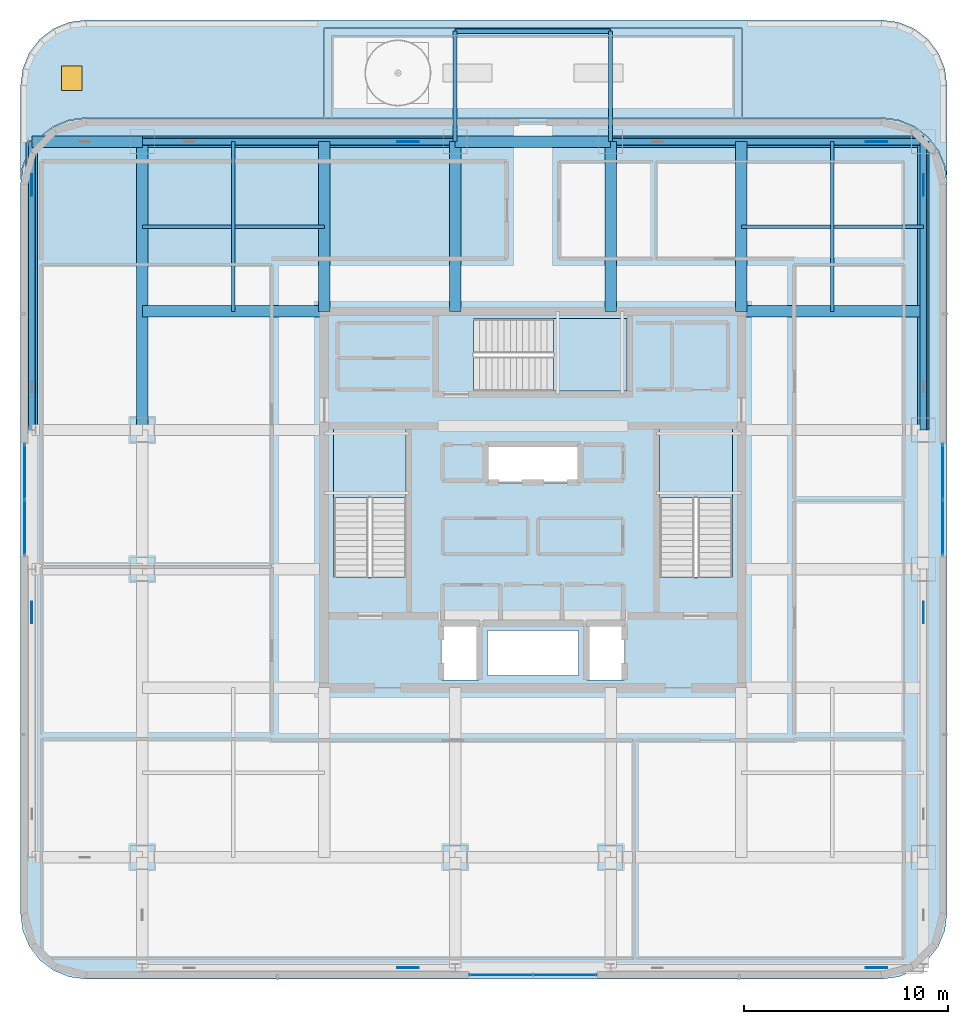
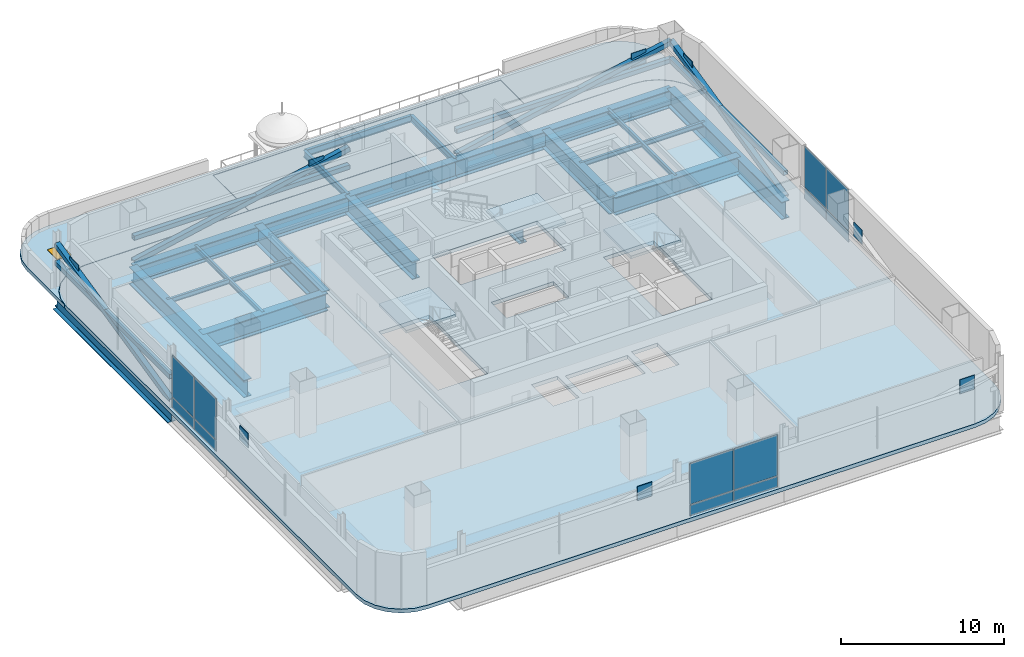
# One storey, part 8 of 28: 20 beams, 20 plates, 8 members, 6 slabs, 1 door, 1 opening, 6 elements without a shape of their own.
"""IFC4 building model written with IfcOpenShell, lengths in metres."""

from ifc_helpers import new_model, si_unit, direction, frame, origin, origin_2d, place, context, subcontext, project, spatial, polyline, rectangle, hollow_rectangle, i_section, outline, extrude, material, layer, layer_set, material_profile, profile_set, type_object, element, fill, aggregate, save


model = new_model("IFC4")

# Units and contexts
model_context = context("Model", 3, precision=1e-05, world=origin(), true_north=direction((0.0, 1.0)))
body_context = subcontext(model_context, "Body", "Model", "MODEL_VIEW")
ifc_project = project(units=[si_unit("LENGTHUNIT", "METRE"), si_unit("AREAUNIT", "SQUARE_METRE"), si_unit("VOLUMEUNIT", "CUBIC_METRE"), si_unit("PLANEANGLEUNIT", "RADIAN"), si_unit("MASSUNIT", "GRAM", prefix="KILO")], contexts=[model_context])

# Site, building, storey
site_placement = place(None, origin())
site = spatial("IfcSite", under=ifc_project, at=site_placement, CompositionType="ELEMENT")
building_placement = place(site_placement, origin())
building = spatial("IfcBuilding", under=site, at=building_placement, Name="Punatoya Terracotta Tower", CompositionType="ELEMENT")
storey_placement = place(building_placement, frame((0.0, 0.0, 317.39990234375)))
storey = spatial("IfcBuildingStorey", under=building, at=storey_placement, Name="L75", CompositionType="ELEMENT", Elevation=317.39990234375)

# Beams
ifc_material_1 = material(Name="Steel S355", Category="steel")
ifc_material_profile_1 = material_profile(ifc_material_1, i_section(OverallWidth=0.169921875, OverallDepth=0.360107421875, WebThickness=0.008056640625, FlangeThickness=0.0126953125, FilletRadius=0.01806640625, at=origin_2d()))
ifc_profile_set_1 = profile_set([ifc_material_profile_1], Name="Steel S355")
beam_type_1 = type_object("IfcBeamType", Name="BM-SEC-360", PredefinedType="JOIST", material=ifc_profile_set_1)
for number, where, z_axis, x_axis, name in (
    (1, (-19.10009765625, 13.35009765625, -0.4599609375), (1.0, 0.0, 0.0), (0.0, 1.0, 0.0), "BM-L75-SJN-1"),
    (2, (10.199951171875, 13.35009765625, -0.4599609375), (1.0, 0.0, 0.0), (0.0, 1.0, 0.0), "BM-L75-SJN-2"),
):
    element("IfcBeam", number, at=place(storey_placement, frame(where, z_axis=z_axis, x_axis=x_axis)), inside=storey, type_object=beam_type_1, Name=name, PredefinedType="JOIST", context=body_context, shape_type="SweptSolid", body=[
        extrude(i_section(OverallWidth=0.169921875, OverallDepth=0.360107421875, WebThickness=0.008056640625, FlangeThickness=0.0126953125, FilletRadius=0.01806640625, at=origin_2d()), origin(), (0.0, 0.0, 1.0), 8.900146484375),
    ])
for number, where, z_axis, x_axis, name in (
    (3, (-14.64990234375, 9.199951171875, -0.4599609375), (0.0, 1.0, 0.0), (-1.0, 0.0, 0.0), "BM-L75-SJW-2"),
    (4, (14.64990234375, 9.199951171875, -0.4599609375), (0.0, 1.0, 0.0), (-1.0, 0.0, 0.0), "BM-L75-SJE-2"),
):
    element("IfcBeam", number, at=place(storey_placement, frame(where, z_axis=z_axis, x_axis=x_axis)), inside=storey, type_object=beam_type_1, Name=name, PredefinedType="JOIST", context=body_context, shape_type="SweptSolid", body=[
        extrude(i_section(OverallWidth=0.169921875, OverallDepth=0.360107421875, WebThickness=0.008056640625, FlangeThickness=0.0126953125, FilletRadius=0.01806640625, at=origin_2d()), origin(), (0.0, 0.0, 1.0), 8.300048828125),
    ])
ifc_material_profile_2 = material_profile(ifc_material_1, i_section(OverallWidth=0.199951171875, OverallDepth=0.5, WebThickness=0.01025390625, FlangeThickness=0.01611328125, FilletRadius=0.01806640625, at=origin_2d()))
ifc_profile_set_2 = profile_set([ifc_material_profile_2], Name="Steel S355")
beam_type_2 = type_object("IfcBeamType", Name="BM-SPN-500", PredefinedType="SPANDREL", material=ifc_profile_set_2)
for number, where, z_axis, x_axis, name in (
    (5, (-3.800048828125, 17.5, -0.47998046875), (0.0, 1.0, 0.0), (-1.0, 0.0, 0.0), "BM-L75-TERS-1--3"),
    (6, (3.800048828125, 17.5, -0.47998046875), (0.0, 1.0, 0.0), (-1.0, 0.0, 0.0), "BM-L75-TERS-1-3"),
):
    element("IfcBeam", number, at=place(storey_placement, frame(where, z_axis=z_axis, x_axis=x_axis)), inside=storey, type_object=beam_type_2, Name=name, PredefinedType="SPANDREL", context=body_context, shape_type="SweptSolid", body=[
        extrude(i_section(OverallWidth=0.199951171875, OverallDepth=0.5, WebThickness=0.01025390625, FlangeThickness=0.01611328125, FilletRadius=0.01806640625, at=origin_2d()), origin(), (0.0, 0.0, 1.0), 5.39990234375),
    ])
beam_1_placement = place(storey_placement, frame((-3.800048828125, 22.89990234375, -0.47998046875), z_axis=(1.0, 0.0, 0.0), x_axis=(0.0, 1.0, 0.0)))
element("IfcBeam", 7, at=beam_1_placement, inside=storey, type_object=beam_type_2, Name="BM-L75-TERE-1", PredefinedType="SPANDREL", context=body_context, shape_type="SweptSolid", body=[
    extrude(i_section(OverallWidth=0.199951171875, OverallDepth=0.5, WebThickness=0.01025390625, FlangeThickness=0.01611328125, FilletRadius=0.01806640625, at=origin_2d()), origin(), (0.0, 0.0, 1.0), 7.60009765625),
])
ifc_material_2 = material(Name="Steel S460", Category="steel")
ifc_material_profile_3 = material_profile(ifc_material_2, i_section(OverallWidth=0.56005859375, OverallDepth=1.320068359375, WebThickness=0.035888671875, FlangeThickness=0.054931640625, FilletRadius=0.01806640625, at=origin_2d()))
ifc_profile_set_3 = profile_set([ifc_material_profile_3], Name="Steel S460")
beam_type_3 = type_object("IfcBeamType", Name="BM-TG-BLK", PredefinedType="BEAM", material=ifc_profile_set_3)
beam_2_placement = place(storey_placement, frame((-19.10009765625, 17.5, -0.93994140625), z_axis=(1.0, 0.0, 0.0), x_axis=(0.0, 1.0, 0.0)))
element("IfcBeam", 8, at=beam_2_placement, inside=storey, type_object=beam_type_3, Name="BM-L75-RG-N1", PredefinedType="BEAM", context=body_context, shape_type="SweptSolid", body=[
    extrude(i_section(OverallWidth=0.56005859375, OverallDepth=1.320068359375, WebThickness=0.035888671875, FlangeThickness=0.054931640625, FilletRadius=0.01806640625, at=origin_2d()), origin(), (0.0, 0.0, 1.0), 15.300048828125),
])
beam_3_placement = place(storey_placement, frame((-3.800048828125, 17.5, -0.93994140625), z_axis=(1.0, 0.0, 0.0), x_axis=(0.0, 1.0, 0.0)))
element("IfcBeam", 9, at=beam_3_placement, inside=storey, type_object=beam_type_3, Name="BM-L75-RG-N2", PredefinedType="BEAM", context=body_context, shape_type="SweptSolid", body=[
    extrude(i_section(OverallWidth=0.56005859375, OverallDepth=1.320068359375, WebThickness=0.035888671875, FlangeThickness=0.054931640625, FilletRadius=0.01806640625, at=origin_2d()), origin(), (0.0, 0.0, 1.0), 7.60009765625),
])
beam_4_placement = place(storey_placement, frame((3.800048828125, 17.5, -0.93994140625), z_axis=(1.0, 0.0, 0.0), x_axis=(0.0, 1.0, 0.0)))
element("IfcBeam", 10, at=beam_4_placement, inside=storey, type_object=beam_type_3, Name="BM-L75-RG-N3", PredefinedType="BEAM", context=body_context, shape_type="SweptSolid", body=[
    extrude(i_section(OverallWidth=0.56005859375, OverallDepth=1.320068359375, WebThickness=0.035888671875, FlangeThickness=0.054931640625, FilletRadius=0.01806640625, at=origin_2d()), origin(), (0.0, 0.0, 1.0), 15.300048828125),
])
for number, where, z_axis, x_axis, name in (
    (11, (-19.10009765625, 3.39990234375, -0.93994140625), (0.0, 1.0, 0.0), (-1.0, 0.0, 0.0), "BM-L75-RG-W3"),
    (12, (19.10009765625, 3.39990234375, -0.93994140625), (0.0, 1.0, 0.0), (-1.0, 0.0, 0.0), "BM-L75-RG-E3"),
):
    element("IfcBeam", number, at=place(storey_placement, frame(where, z_axis=z_axis, x_axis=x_axis)), inside=storey, type_object=beam_type_3, Name=name, PredefinedType="BEAM", context=body_context, shape_type="SweptSolid", body=[
        extrude(i_section(OverallWidth=0.56005859375, OverallDepth=1.320068359375, WebThickness=0.035888671875, FlangeThickness=0.054931640625, FilletRadius=0.01806640625, at=origin_2d()), origin(), (0.0, 0.0, 1.0), 14.10009765625),
    ])
for number, where, z_axis, x_axis, name in (
    (13, (-19.10009765625, 9.199951171875, -0.93994140625), (1.0, 0.0, 0.0), (0.0, 1.0, 0.0), "BM-L75-PR-WN"),
    (14, (10.199951171875, 9.199951171875, -0.93994140625), (1.0, 0.0, 0.0), (0.0, 1.0, 0.0), "BM-L75-PR-EN"),
):
    element("IfcBeam", number, at=place(storey_placement, frame(where, z_axis=z_axis, x_axis=x_axis)), inside=storey, type_object=beam_type_3, Name=name, PredefinedType="BEAM", context=body_context, shape_type="SweptSolid", body=[
        extrude(i_section(OverallWidth=0.56005859375, OverallDepth=1.320068359375, WebThickness=0.035888671875, FlangeThickness=0.054931640625, FilletRadius=0.01806640625, at=origin_2d()), origin(), (0.0, 0.0, 1.0), 8.900146484375),
    ])
for number, where, z_axis, x_axis, name in (
    (15, (-10.199951171875, 9.199951171875, -0.93994140625), (0.0, 1.0, 0.0), (-1.0, 0.0, 0.0), "BM-L75-PR-N1"),
    (16, (-3.800048828125, 9.199951171875, -0.93994140625), (0.0, 1.0, 0.0), (-1.0, 0.0, 0.0), "BM-L75-PR-N2"),
    (17, (3.800048828125, 9.199951171875, -0.93994140625), (0.0, 1.0, 0.0), (-1.0, 0.0, 0.0), "BM-L75-PR-N3"),
    (18, (10.199951171875, 9.199951171875, -0.93994140625), (0.0, 1.0, 0.0), (-1.0, 0.0, 0.0), "BM-L75-PR-N4"),
):
    element("IfcBeam", number, at=place(storey_placement, frame(where, z_axis=z_axis, x_axis=x_axis)), inside=storey, type_object=beam_type_3, Name=name, PredefinedType="BEAM", context=body_context, shape_type="SweptSolid", body=[
        extrude(i_section(OverallWidth=0.56005859375, OverallDepth=1.320068359375, WebThickness=0.035888671875, FlangeThickness=0.054931640625, FilletRadius=0.01806640625, at=origin_2d()), origin(), (0.0, 0.0, 1.0), 8.300048828125),
    ])
beam_5_placement = place(storey_placement, frame((-24.5, 17.5, -0.93994140625), z_axis=(1.0, 0.0, 0.0), x_axis=(0.0, 1.0, 0.0)))
element("IfcBeam", 19, at=beam_5_placement, inside=storey, type_object=beam_type_3, Name="BM-L75-CANT-W4", PredefinedType="BEAM", context=body_context, shape_type="SweptSolid", body=[
    extrude(i_section(OverallWidth=0.56005859375, OverallDepth=1.320068359375, WebThickness=0.035888671875, FlangeThickness=0.054931640625, FilletRadius=0.01806640625, at=origin_2d()), origin(), (0.0, 0.0, 1.0), 5.39990234375),
])
beam_6_placement = place(storey_placement, frame((-24.5, 3.39990234375, -0.93994140625), z_axis=(0.0, 1.0, 0.0), x_axis=(-1.0, 0.0, 0.0)))
element("IfcBeam", 20, at=beam_6_placement, inside=storey, type_object=beam_type_3, Name="BM-L75-PER-W3", PredefinedType="BEAM", context=body_context, shape_type="SweptSolid", body=[
    extrude(i_section(OverallWidth=0.56005859375, OverallDepth=1.320068359375, WebThickness=0.035888671875, FlangeThickness=0.054931640625, FilletRadius=0.01806640625, at=origin_2d()), origin(), (0.0, 0.0, 1.0), 14.10009765625),
])

# Members
ifc_material_profile_4 = material_profile(ifc_material_2, hollow_rectangle(XDim=0.320068359375, YDim=0.320068359375, WallThickness=0.01806640625, at=origin_2d()))
ifc_profile_set_4 = profile_set([ifc_material_profile_4], Name="Steel S460")
member_type_1 = type_object("IfcMemberType", Name="MEM-CHD-320", PredefinedType="CHORD", material=ifc_profile_set_4)
for number, where, z_axis, x_axis, name in (
    (21, (-19.10009765625, 17.5, 1.85009765625), (1.0, 0.0, 0.0), (0.0, 1.0, 0.0), "L75 Exoskeleton Belt Truss Tie Chord N1"),
    (22, (3.800048828125, 17.5, 1.85009765625), (1.0, 0.0, 0.0), (0.0, 1.0, 0.0), "L75 Exoskeleton Belt Truss Tie Chord N3"),
):
    element("IfcMember", number, at=place(storey_placement, frame(where, z_axis=z_axis, x_axis=x_axis)), inside=storey, type_object=member_type_1, Name=name, PredefinedType="CHORD", context=body_context, shape_type="SweptSolid", body=[
        extrude(hollow_rectangle(XDim=0.320068359375, YDim=0.320068359375, WallThickness=0.01806640625, at=origin_2d()), origin(), (0.0, 0.0, 1.0), 15.300048828125),
    ])
for number, where, z_axis, x_axis, name in (
    (23, (-24.5, 3.39990234375, 1.85009765625), (0.0, 1.0, 0.0), (-1.0, 0.0, 0.0), "L75 Exoskeleton Belt Truss Tie Chord W3"),
    (24, (19.10009765625, 3.39990234375, 1.85009765625), (0.0, 1.0, 0.0), (-1.0, 0.0, 0.0), "L75 Exoskeleton Belt Truss Tie Chord E3"),
):
    element("IfcMember", number, at=place(storey_placement, frame(where, z_axis=z_axis, x_axis=x_axis)), inside=storey, type_object=member_type_1, Name=name, PredefinedType="CHORD", context=body_context, shape_type="SweptSolid", body=[
        extrude(hollow_rectangle(XDim=0.320068359375, YDim=0.320068359375, WallThickness=0.01806640625, at=origin_2d()), origin(), (0.0, 0.0, 1.0), 14.10009765625),
    ])
ifc_material_profile_5 = material_profile(ifc_material_2, hollow_rectangle(XDim=0.35009765625, YDim=0.35009765625, WallThickness=0.01806640625, at=origin_2d()))
ifc_profile_set_5 = profile_set([ifc_material_profile_5], Name="Steel S460")
member_type_2 = type_object("IfcMemberType", Name="MEM-EXO-350", PredefinedType="BRACE", material=ifc_profile_set_5)
for number, where, z_axis, x_axis, name in (
    (25, (-19.10009765625, 17.5, 0.02001953125), (0.979074028043, 0.0, 0.203504416686), (0.0, 1.0, 0.0), "L75 Exoskeleton Belt Brace N1"),
    (26, (3.800048828125, 17.5, 0.02001953125), (0.979074028043, 0.0, 0.203504416686), (0.0, 1.0, 0.0), "L75 Exoskeleton Belt Brace N3"),
):
    element("IfcMember", number, at=place(storey_placement, frame(where, z_axis=z_axis, x_axis=x_axis)), inside=storey, type_object=member_type_2, Name=name, PredefinedType="BRACE", context=body_context, shape_type="SweptSolid", body=[
        extrude(hollow_rectangle(XDim=0.35009765625, YDim=0.35009765625, WallThickness=0.01806640625, at=origin_2d()), origin(), (0.0, 0.0, 1.0), 15.626953125),
    ])
for number, where, z_axis, x_axis, name in (
    (27, (-24.5, 3.39990234375, 0.02001953125), (0.0, 0.975496225181, 0.220016169083), (-1.0, 0.0, 0.0), "L75 Exoskeleton Belt Brace W3"),
    (28, (19.10009765625, 3.39990234375, 0.02001953125), (0.0, 0.975496225181, 0.220016169083), (-1.0, 0.0, 0.0), "L75 Exoskeleton Belt Brace E3"),
):
    element("IfcMember", number, at=place(storey_placement, frame(where, z_axis=z_axis, x_axis=x_axis)), inside=storey, type_object=member_type_2, Name=name, PredefinedType="BRACE", context=body_context, shape_type="SweptSolid", body=[
        extrude(hollow_rectangle(XDim=0.35009765625, YDim=0.35009765625, WallThickness=0.01806640625, at=origin_2d()), origin(), (0.0, 0.0, 1.0), 14.454345703125),
    ])

# Curtain wall, plates
ifc_material_3 = material(Name="Aluminium 6063-T6 + Double Low-E Glass", Category="aluminium")
curtain_wall_type = type_object("IfcCurtainWallType", Name="CW-OBS", PredefinedType="NOTDEFINED", material=ifc_material_3)
curtain_wall_1_placement = place(storey_placement, origin())
curtain_wall_1 = element("IfcCurtainWall", 29, at=curtain_wall_1_placement, inside=storey, type_object=curtain_wall_type, Name="L75 Curtain Wall CW-L75-S01-1", PredefinedType="NOTDEFINED")
ifc_material_4 = material(Name="Laminated Observation Low-Iron Glass", Category="glass")
ifc_layer_1 = layer(ifc_material_4, 0.0380859375)
ifc_layer_set_1 = layer_set([ifc_layer_1], Name="Laminated Observation Low-Iron Glass")
plate_type_1 = type_object("IfcPlateType", Name="PLT-GLZ-38", PredefinedType="CURTAIN_PANEL", material=ifc_layer_set_1)
plate_1_placement = place(storey_placement, frame((-1.574951171875, -23.25, 0.89013671875), z_axis=(0.0, 0.0, 1.0), x_axis=(1.0, 0.0, 0.0)))
plate_1 = element("IfcPlate", 30, at=plate_1_placement, type_object=plate_type_1, Name="CW-L75-S01-1 Vision Glass Panel 1", PredefinedType="CURTAIN_PANEL", context=body_context, shape_type="SweptSolid", body=[
    extrude(rectangle(XDim=3.06494140625, YDim=0.0380859375, at=origin_2d()), origin(), (0.0, 0.0, 1.0), 3.070068359375),
])
plate_2_placement = place(storey_placement, frame((1.574951171875, -23.25, 0.89013671875), z_axis=(0.0, 0.0, 1.0), x_axis=(1.0, 0.0, 0.0)))
plate_2 = element("IfcPlate", 31, at=plate_2_placement, type_object=plate_type_1, Name="CW-L75-S01-1 Vision Glass Panel 2", PredefinedType="CURTAIN_PANEL", context=body_context, shape_type="SweptSolid", body=[
    extrude(rectangle(XDim=3.06494140625, YDim=0.0380859375, at=origin_2d()), origin(), (0.0, 0.0, 1.0), 3.070068359375),
])

curtain_wall_2_placement = place(storey_placement, origin())
curtain_wall_2 = element("IfcCurtainWall", 32, at=curtain_wall_2_placement, inside=storey, type_object=curtain_wall_type, Name="L75 Curtain Wall CW-L75-E05-1", PredefinedType="NOTDEFINED")
plate_3_placement = place(storey_placement, frame((20.050048828125, -1.375, 0.89013671875), z_axis=(0.0, 0.0, 1.0), x_axis=(0.0, 1.0, 0.0)))
plate_3 = element("IfcPlate", 33, at=plate_3_placement, type_object=plate_type_1, Name="CW-L75-E05-1 Vision Glass Panel 1", PredefinedType="CURTAIN_PANEL", context=body_context, shape_type="SweptSolid", body=[
    extrude(rectangle(XDim=2.6650390625, YDim=0.0380859375, at=origin_2d()), origin(), (0.0, 0.0, 1.0), 3.070068359375),
])
plate_4_placement = place(storey_placement, frame((20.050048828125, 1.375, 0.89013671875), z_axis=(0.0, 0.0, 1.0), x_axis=(0.0, 1.0, 0.0)))
plate_4 = element("IfcPlate", 34, at=plate_4_placement, type_object=plate_type_1, Name="CW-L75-E05-1 Vision Glass Panel 2", PredefinedType="CURTAIN_PANEL", context=body_context, shape_type="SweptSolid", body=[
    extrude(rectangle(XDim=2.6650390625, YDim=0.0380859375, at=origin_2d()), origin(), (0.0, 0.0, 1.0), 3.070068359375),
])

curtain_wall_3_placement = place(storey_placement, origin())
curtain_wall_3 = element("IfcCurtainWall", 35, at=curtain_wall_3_placement, inside=storey, type_object=curtain_wall_type, Name="L75 Curtain Wall CW-L75-W13-1", PredefinedType="NOTDEFINED")
plate_5_placement = place(storey_placement, frame((-24.85009765625, 1.375, 0.89013671875), z_axis=(0.0, 0.0, 1.0), x_axis=(0.0, -1.0, 0.0)))
plate_5 = element("IfcPlate", 36, at=plate_5_placement, type_object=plate_type_1, Name="CW-L75-W13-1 Vision Glass Panel 1", PredefinedType="CURTAIN_PANEL", context=body_context, shape_type="SweptSolid", body=[
    extrude(rectangle(XDim=2.6650390625, YDim=0.0380859375, at=origin_2d()), origin(), (0.0, 0.0, 1.0), 3.070068359375),
])
plate_6_placement = place(storey_placement, frame((-24.85009765625, -1.375, 0.89013671875), z_axis=(0.0, 0.0, 1.0), x_axis=(0.0, -1.0, 0.0)))
plate_6 = element("IfcPlate", 37, at=plate_6_placement, type_object=plate_type_1, Name="CW-L75-W13-1 Vision Glass Panel 2", PredefinedType="CURTAIN_PANEL", context=body_context, shape_type="SweptSolid", body=[
    extrude(rectangle(XDim=2.6650390625, YDim=0.0380859375, at=origin_2d()), origin(), (0.0, 0.0, 1.0), 3.070068359375),
])

# Plates
ifc_layer_2 = layer(ifc_material_2, 0.0400390625)
ifc_layer_set_2 = layer_set([ifc_layer_2], Name="Steel S460")
plate_type_2 = type_object("IfcPlateType", Name="PLT-GUS-40", PredefinedType="USERDEFINED", material=ifc_layer_set_2)
for number, where, z_axis, x_axis, name in (
    (38, (-6.094970703125, -22.89990234375, 2.1982421875), (0.0, 0.0, 1.0), (1.0, 0.0, 0.0), "L75 Exoskeleton Node Gusset Plate S1"),
    (39, (16.804931640625, -22.89990234375, 2.1982421875), (0.0, 0.0, 1.0), (1.0, 0.0, 0.0), "L75 Exoskeleton Node Gusset Plate S3"),
    (40, (-6.094970703125, 17.5, 2.1982421875), (0.0, 0.0, 1.0), (1.0, 0.0, 0.0), "L75 Exoskeleton Node Gusset Plate N1"),
    (41, (16.804931640625, 17.5, 2.1982421875), (0.0, 0.0, 1.0), (1.0, 0.0, 0.0), "L75 Exoskeleton Node Gusset Plate N3"),
    (42, (-24.5, -5.514892578125, 2.1982421875), (0.0, 0.0, 1.0), (0.0, 1.0, 0.0), "L75 Exoskeleton Node Gusset Plate W1"),
    (43, (-24.5, 15.385009765625, 2.1982421875), (0.0, 0.0, 1.0), (0.0, 1.0, 0.0), "L75 Exoskeleton Node Gusset Plate W3"),
    (44, (19.10009765625, -5.514892578125, 2.1982421875), (0.0, 0.0, 1.0), (0.0, 1.0, 0.0), "L75 Exoskeleton Node Gusset Plate E1"),
    (45, (19.10009765625, 15.385009765625, 2.1982421875), (0.0, 0.0, 1.0), (0.0, 1.0, 0.0), "L75 Exoskeleton Node Gusset Plate E3"),
):
    element("IfcPlate", number, at=place(storey_placement, frame(where, z_axis=z_axis, x_axis=x_axis)), inside=storey, type_object=plate_type_2, Name=name, ObjectType="GUSSET_PLATE", PredefinedType="USERDEFINED", context=body_context, shape_type="SweptSolid", body=[
        extrude(rectangle(XDim=1.050048828125, YDim=0.0400390625, at=origin_2d()), origin(), (0.0, 0.0, 1.0), 1.050048828125),
    ])

# Plate
ifc_material_5 = material(Name="Insulated Terracotta-Backed Spandrel Panel", Category="masonry")
ifc_layer_3 = layer(ifc_material_5, 0.044921875)
ifc_layer_set_3 = layer_set([ifc_layer_3], Name="Insulated Terracotta-Backed Spandrel Panel")
plate_type_3 = type_object("IfcPlateType", Name="PLT-SPN-45", PredefinedType="CURTAIN_PANEL", material=ifc_layer_set_3)
plate_7_placement = place(storey_placement, frame((-1.574951171875, -23.25, 0.0400390625), z_axis=(0.0, 0.0, 1.0), x_axis=(1.0, 0.0, 0.0)))
plate_7 = element("IfcPlate", 46, at=plate_7_placement, type_object=plate_type_3, Name="CW-L75-S01-1 Terracotta Spandrel Panel 1", PredefinedType="CURTAIN_PANEL", context=body_context, shape_type="SweptSolid", body=[
    extrude(rectangle(XDim=3.06494140625, YDim=0.044921875, at=origin_2d()), origin(), (0.0, 0.0, 1.0), 0.77490234375),
])

plate_8_placement = place(storey_placement, frame((1.574951171875, -23.25, 0.0400390625), z_axis=(0.0, 0.0, 1.0), x_axis=(1.0, 0.0, 0.0)))
plate_8 = element("IfcPlate", 47, at=plate_8_placement, type_object=plate_type_3, Name="CW-L75-S01-1 Terracotta Spandrel Panel 2", PredefinedType="CURTAIN_PANEL", context=body_context, shape_type="SweptSolid", body=[
    extrude(rectangle(XDim=3.06494140625, YDim=0.044921875, at=origin_2d()), origin(), (0.0, 0.0, 1.0), 0.77490234375),
])

aggregate(curtain_wall_1, [plate_7, plate_1, plate_8, plate_2])

plate_9_placement = place(storey_placement, frame((20.050048828125, -1.375, 0.0400390625), z_axis=(0.0, 0.0, 1.0), x_axis=(0.0, 1.0, 0.0)))
plate_9 = element("IfcPlate", 48, at=plate_9_placement, type_object=plate_type_3, Name="CW-L75-E05-1 Terracotta Spandrel Panel 1", PredefinedType="CURTAIN_PANEL", context=body_context, shape_type="SweptSolid", body=[
    extrude(rectangle(XDim=2.6650390625, YDim=0.044921875, at=origin_2d()), origin(), (0.0, 0.0, 1.0), 0.77490234375),
])

plate_10_placement = place(storey_placement, frame((20.050048828125, 1.375, 0.0400390625), z_axis=(0.0, 0.0, 1.0), x_axis=(0.0, 1.0, 0.0)))
plate_10 = element("IfcPlate", 49, at=plate_10_placement, type_object=plate_type_3, Name="CW-L75-E05-1 Terracotta Spandrel Panel 2", PredefinedType="CURTAIN_PANEL", context=body_context, shape_type="SweptSolid", body=[
    extrude(rectangle(XDim=2.6650390625, YDim=0.044921875, at=origin_2d()), origin(), (0.0, 0.0, 1.0), 0.77490234375),
])

aggregate(curtain_wall_2, [plate_9, plate_3, plate_10, plate_4])

plate_11_placement = place(storey_placement, frame((-24.85009765625, 1.375, 0.0400390625), z_axis=(0.0, 0.0, 1.0), x_axis=(0.0, -1.0, 0.0)))
plate_11 = element("IfcPlate", 50, at=plate_11_placement, type_object=plate_type_3, Name="CW-L75-W13-1 Terracotta Spandrel Panel 1", PredefinedType="CURTAIN_PANEL", context=body_context, shape_type="SweptSolid", body=[
    extrude(rectangle(XDim=2.6650390625, YDim=0.044921875, at=origin_2d()), origin(), (0.0, 0.0, 1.0), 0.77490234375),
])

plate_12_placement = place(storey_placement, frame((-24.85009765625, -1.375, 0.0400390625), z_axis=(0.0, 0.0, 1.0), x_axis=(0.0, -1.0, 0.0)))
plate_12 = element("IfcPlate", 51, at=plate_12_placement, type_object=plate_type_3, Name="CW-L75-W13-1 Terracotta Spandrel Panel 2", PredefinedType="CURTAIN_PANEL", context=body_context, shape_type="SweptSolid", body=[
    extrude(rectangle(XDim=2.6650390625, YDim=0.044921875, at=origin_2d()), origin(), (0.0, 0.0, 1.0), 0.77490234375),
])

aggregate(curtain_wall_3, [plate_11, plate_5, plate_12, plate_6])

# Stair, slab
ifc_material_6 = material(Name="Concrete C40/50", Category="concrete")
stair_type_1 = type_object("IfcStairType", Name="STR-TER-1450", PredefinedType="HALF_TURN_STAIR", material=ifc_material_6)
stair_1_placement = place(storey_placement, origin())
stair_1 = element("IfcStair", 52, at=stair_1_placement, inside=storey, type_object=stair_type_1, Name="L75 Protected Core Exit Stair ST-3", PredefinedType="HALF_TURN_STAIR")
ifc_layer_4 = layer(ifc_material_6, 0.1650390625)
ifc_layer_set_4 = layer_set([ifc_layer_4], Name="Concrete C40/50")
slab_type_1 = type_object("IfcSlabType", Name="SLB-LND-165", PredefinedType="LANDING", material=ifc_layer_set_4)
slab_1_placement = place(storey_placement, frame((0.0, 0.0, 1.900146484375)))
slab_1 = element("IfcSlab", 53, at=slab_1_placement, type_object=slab_type_1, Name="ST-3 landing 1", PredefinedType="LANDING", context=body_context, shape_type="SweptSolid", body=[
    extrude(outline(polyline([(1.0, 5.300048828125), (4.60009765625, 5.300048828125), (4.60009765625, 8.85009765625), (1.0, 8.85009765625), (1.0, 5.300048828125)])), origin(), (0.0, 0.0, 1.0), 0.199951171875),
])
aggregate(stair_1, [slab_1])

stair_type_2 = type_object("IfcStairType", Name="STR-CORE-1550", PredefinedType="HALF_TURN_STAIR", material=ifc_material_6)
stair_2_placement = place(storey_placement, origin())
stair_2 = element("IfcStair", 54, at=stair_2_placement, inside=storey, type_object=stair_type_2, Name="L75 Protected Core Exit Stair ST-1", PredefinedType="HALF_TURN_STAIR")
ifc_layer_5 = layer(ifc_material_6, 0.179931640625)
ifc_layer_set_5 = layer_set([ifc_layer_5], Name="Concrete C40/50")
slab_type_2 = type_object("IfcSlabType", Name="SLB-LND-180", PredefinedType="LANDING", material=ifc_layer_set_5)
slab_2_placement = place(storey_placement, frame((0.0, 0.0, 1.900146484375)))
slab_2 = element("IfcSlab", 55, at=slab_2_placement, type_object=slab_type_2, Name="ST-1 landing 1", PredefinedType="LANDING", context=body_context, shape_type="SweptSolid", body=[
    extrude(outline(polyline([(-6.199951171875, 0.10009765625), (-6.199951171875, 3.449951171875), (-9.75, 3.449951171875), (-9.75, 0.10009765625), (-6.199951171875, 0.10009765625)])), origin(), (0.0, 0.0, 1.0), 0.199951171875),
])
aggregate(stair_2, [slab_2])

stair_type_3 = type_object("IfcStairType", Name="STR-LOB-1650", PredefinedType="HALF_TURN_STAIR", material=ifc_material_6)
stair_3_placement = place(storey_placement, origin())
stair_3 = element("IfcStair", 56, at=stair_3_placement, inside=storey, type_object=stair_type_3, Name="L75 Protected Core Exit Stair ST-2", PredefinedType="HALF_TURN_STAIR")
slab_3_placement = place(storey_placement, frame((0.0, 0.0, 1.900146484375)))
slab_3 = element("IfcSlab", 57, at=slab_3_placement, type_object=slab_type_2, Name="ST-2 landing 1", PredefinedType="LANDING", context=body_context, shape_type="SweptSolid", body=[
    extrude(outline(polyline([(9.75, 0.10009765625), (9.75, 3.449951171875), (6.199951171875, 3.449951171875), (6.199951171875, 0.10009765625), (9.75, 0.10009765625)])), origin(), (0.0, 0.0, 1.0), 0.199951171875),
])
aggregate(stair_3, [slab_3])

# Slab
ifc_layer_6 = layer(ifc_material_6, 0.280029296875)
ifc_layer_set_6 = layer_set([ifc_layer_6], Name="Concrete C40/50")
slab_type_3 = type_object("IfcSlabType", Name="SLB-POD-280", PredefinedType="FLOOR", material=ifc_layer_set_6)
slab_4_placement = place(storey_placement, frame((0.0, 0.0, -0.27978515625)))
element("IfcSlab", 58, at=slab_4_placement, inside=storey, type_object=slab_type_3, Name="L75 Structural Floor Slab", PredefinedType="FLOOR", context=body_context, shape_type="SweptSolid", body=[
    extrude(outline(polyline([(-21.85009765625, -23.449951171875), (-22.67822265625, -23.341064453125), (-23.449951171875, -23.021240234375), (-24.11279296875, -22.5126953125), (-24.621337890625, -21.85009765625), (-24.94091796875, -21.078125), (-25.050048828125, -20.25), (-25.050048828125, 15.449951171875), (-24.94091796875, 16.2783203125), (-24.621337890625, 17.050048828125), (-24.11279296875, 17.712646484375), (-23.449951171875, 18.22119140625), (-22.67822265625, 18.541015625), (-21.85009765625, 18.64990234375), (17.050048828125, 18.64990234375), (17.878173828125, 18.541015625), (18.64990234375, 18.22119140625), (19.312744140625, 17.712646484375), (19.8212890625, 17.050048828125), (20.14111328125, 16.2783203125), (20.25, 15.449951171875), (20.25, -20.25), (20.14111328125, -21.078125), (19.8212890625, -21.85009765625), (19.312744140625, -22.5126953125), (18.64990234375, -23.021240234375), (17.878173828125, -23.341064453125), (17.050048828125, -23.449951171875), (-21.85009765625, -23.449951171875)]), holes=[polyline([(-2.6298828125, -6.179931640625), (-4.469970703125, -6.179931640625), (-4.469970703125, -8.820068359375), (-2.6298828125, -8.820068359375), (-2.6298828125, -6.179931640625)]), polyline([(-0.02001953125, -6.405029296875), (-2.219970703125, -6.405029296875), (-2.219970703125, -8.594970703125), (-0.02001953125, -8.594970703125), (0.02001953125, -8.594970703125), (2.219970703125, -8.594970703125), (2.219970703125, -6.405029296875), (0.02001953125, -6.405029296875), (-0.02001953125, -6.405029296875)]), polyline([(4.469970703125, -6.179931640625), (2.6298828125, -6.179931640625), (2.6298828125, -8.820068359375), (4.469970703125, -8.820068359375), (4.469970703125, -6.179931640625)]), polyline([(-9.75, 3.449951171875), (-9.75, -3.79931640625), (-6.199951171875, -3.79931640625), (-6.199951171875, 3.449951171875), (-9.75, 3.449951171875)]), polyline([(6.199951171875, 3.449951171875), (6.199951171875, -3.79931640625), (9.75, -3.79931640625), (9.75, 3.449951171875), (6.199951171875, 3.449951171875)]), polyline([(-2.219970703125, 2.719970703125), (-2.219970703125, 0.780029296875), (-0.02001953125, 0.780029296875), (0.02001953125, 0.780029296875), (2.219970703125, 0.780029296875), (2.219970703125, 2.719970703125), (0.02001953125, 2.719970703125), (-0.02001953125, 2.719970703125), (-2.219970703125, 2.719970703125)]), polyline([(4.60009765625, 5.300048828125), (4.60009765625, 8.85009765625), (-2.899169921875, 8.85009765625), (-2.899169921875, 5.300048828125), (4.60009765625, 5.300048828125)])]), origin(), (0.0, 0.0, 1.0), 0.27978515625),
])

# Slab, opening, door
ifc_layer_7 = layer(ifc_material_6, 0.280029296875)
ifc_layer_set_7 = layer_set([ifc_layer_7], Name="Concrete C40/50")
slab_type_4 = type_object("IfcSlabType", Name="SLB-ROF-280", PredefinedType="ROOF", material=ifc_layer_set_7)
slab_5_placement = place(storey_placement, frame((0.0, 0.0, -0.27978515625)))
slab_5 = element("IfcSlab", 59, at=slab_5_placement, inside=storey, type_object=slab_type_4, Name="L75 Junction Roof Slab 1 over L74 Plate", PredefinedType="ROOF", context=body_context, shape_type="SweptSolid", body=[
    extrude(outline(polyline([(-24.621337890625, 21.85009765625), (-24.94091796875, 21.078125), (-25.050048828125, 20.25), (-25.050048828125, 15.603271484375), (-24.96044921875, 16.283447265625), (-24.638916015625, 17.06005859375), (-24.126953125, 17.72705078125), (-23.460205078125, 18.23876953125), (-22.683349609375, 18.560546875), (-21.851318359375, 18.669921875), (-10.219970703125, 18.669921875), (-10.219970703125, 23.070068359375), (10.219970703125, 23.070068359375), (10.219970703125, 18.669921875), (17.05126953125, 18.669921875), (17.88330078125, 18.560546875), (18.66015625, 18.23876953125), (19.326904296875, 17.72705078125), (19.8388671875, 17.06005859375), (20.160400390625, 16.283447265625), (20.25, 15.603271484375), (20.25, 20.25), (20.14111328125, 21.078125), (19.8212890625, 21.85009765625), (19.312744140625, 22.5126953125), (18.64990234375, 23.021240234375), (17.878173828125, 23.341064453125), (17.050048828125, 23.449951171875), (-21.85009765625, 23.449951171875), (-22.67822265625, 23.341064453125), (-23.449951171875, 23.021240234375), (-24.11279296875, 22.5126953125), (-24.621337890625, 21.85009765625)]), holes=[polyline([(-22.050048828125, 21.203369140625), (-22.050048828125, 20.00341796875), (-23.050048828125, 20.00341796875), (-23.050048828125, 21.203369140625), (-22.050048828125, 21.203369140625)])]), origin(), (0.0, 0.0, 1.0), 0.27978515625),
])
opening_placement = place(slab_5_placement, frame((-22.550048828125, 20.603271484375, 0.0)))
opening = element("IfcOpeningElement", 60, at=opening_placement, cuts=slab_5, Name="Opening RHT-1", PredefinedType="OPENING", context=body_context, shape_type="SweptSolid", body=[
    extrude(rectangle(XDim=1.0, YDim=1.199951171875, at=origin_2d()), frame((0.0, 0.0, -0.010009765625)), (0.0, 0.0, 1.0), 0.349853515625),
])
ifc_material_7 = material(Name="Insulated Aluminium Roof Hatch", Category="aluminium")
door_type = type_object("IfcDoorType", Name="DR-HTCH-1000", OperationType="NOTDEFINED", PredefinedType="TRAPDOOR", material=ifc_material_7)
door_placement = place(opening_placement, frame((0.0, 0.0, 0.27978515625)))
door = element("IfcDoor", 61, at=door_placement, inside=storey, type_object=door_type, Name="L75 Junction Roof Maintenance Hatch 1", OperationType="SINGLE_SWING_LEFT", OverallHeight=1.199951171875, OverallWidth=1.0, PredefinedType="TRAPDOOR", context=body_context, shape_type="SweptSolid", body=[
    extrude(rectangle(XDim=1.0, YDim=1.199951171875, at=origin_2d()), origin(), (0.0, 0.0, 1.0), 0.050048828125),
])
fill(opening, door)

# Slab
ifc_layer_8 = layer(ifc_material_6, 0.22998046875)
ifc_layer_set_8 = layer_set([ifc_layer_8], Name="Concrete C40/50")
slab_type_5 = type_object("IfcSlabType", Name="SLB-TER-230", PredefinedType="FLOOR", material=ifc_layer_set_8)
slab_6_placement = place(storey_placement, frame((0.0, 0.0, -0.22998046875)))
element("IfcSlab", 62, at=slab_6_placement, inside=storey, type_object=slab_type_5, Name="L75 Spiralling Sky Terrace", PredefinedType="FLOOR", context=body_context, shape_type="SweptSolid", body=[
    extrude(outline(polyline([(-10.199951171875, 23.050048828125), (10.199951171875, 23.050048828125), (10.199951171875, 18.669921875), (-10.199951171875, 18.669921875), (-10.199951171875, 23.050048828125)])), origin(), (0.0, 0.0, 1.0), 0.22998046875),
])

save(model, "model.ifc")
